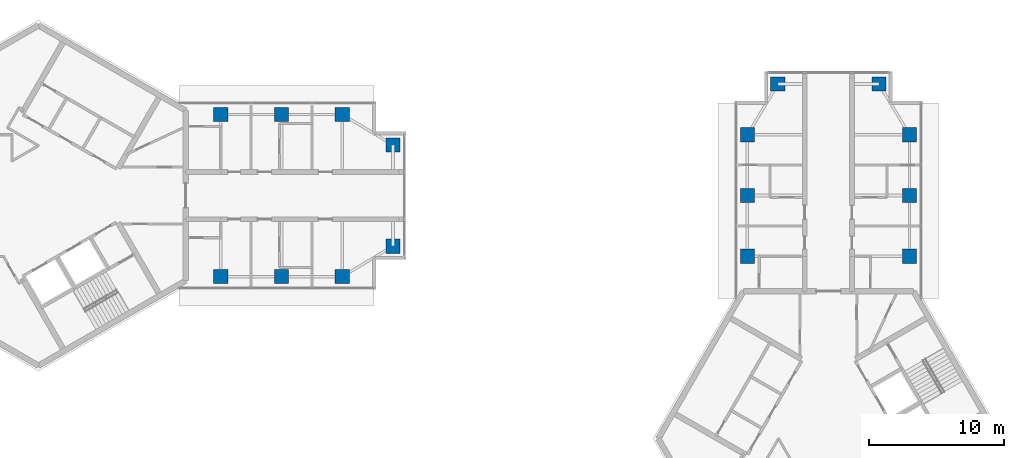
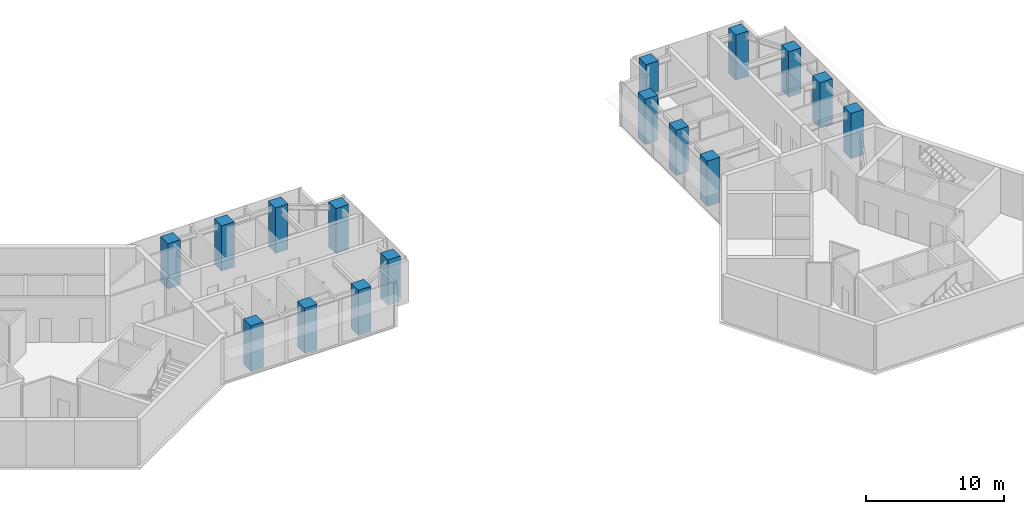
# One storey, part 1 of 11: 16 columns.
"""IFC4 building model written with IfcOpenShell, lengths in metres."""

from ifc_helpers import new_model, si_unit, direction, frame, origin, origin_2d, place, context, subcontext, project, spatial, rectangle, extrude, material, material_profile, profile_set, type_object, element, save


model = new_model("IFC4")

# Units and contexts
model_context = context("Model", 3, precision=1e-05, world=origin(), true_north=direction((0.0, 1.0)))
body_context = subcontext(model_context, "Body", "Model", "MODEL_VIEW")
ifc_project = project(units=[si_unit("LENGTHUNIT", "METRE"), si_unit("AREAUNIT", "SQUARE_METRE"), si_unit("VOLUMEUNIT", "CUBIC_METRE"), si_unit("PLANEANGLEUNIT", "RADIAN"), si_unit("MASSUNIT", "GRAM", prefix="KILO")], contexts=[model_context])

# Site, building, storey
site_placement = place(None, origin())
site = spatial("IfcSite", under=ifc_project, at=site_placement, CompositionType="ELEMENT")
building_placement = place(site_placement, origin())
building = spatial("IfcBuilding", under=site, at=building_placement, Name="Upepo Twin Towers", CompositionType="ELEMENT")
storey_placement = place(building_placement, frame((0.0, 0.0, 263.5)))
storey = spatial("IfcBuildingStorey", under=building, at=storey_placement, Name="L64", CompositionType="ELEMENT", Elevation=263.5)

# Columns
ifc_material = material(Name="Concrete C60/75", Category="concrete")
ifc_material_profile = material_profile(ifc_material, rectangle(XDim=1.050048828125, YDim=1.050048828125, at=origin_2d()), Name="RC 1050x1050")
ifc_profile_set = profile_set([ifc_material_profile], Name="Concrete C60/75")
column_type = type_object("IfcColumnType", Name="Tower column RC 1050x1050", PredefinedType="COLUMN", material=ifc_profile_set)
for number, where, z_axis, x_axis, name in (
    (1, (13.5, 6.0, 0.0), (0.0, 0.0, 1.0), (1.0, 0.0, 0.0), "T1 column AL135"),
    (2, (13.5, -6.0, 0.0), (0.0, 0.0, 1.0), (1.0, 0.0, 0.0), "T1 column AR135"),
    (3, (18.0, 6.0, 0.0), (0.0, 0.0, 1.0), (1.0, 0.0, 0.0), "T1 column AL180"),
    (4, (18.0, -6.0, 0.0), (0.0, 0.0, 1.0), (1.0, 0.0, 0.0), "T1 column AR180"),
    (5, (22.5, 6.0, 0.0), (0.0, 0.0, 1.0), (1.0, 0.0, 0.0), "T1 column AL225"),
    (6, (22.5, -6.0, 0.0), (0.0, 0.0, 1.0), (1.0, 0.0, 0.0), "T1 column AR225"),
    (7, (26.25, 3.75, 0.0), (0.0, 0.0, 1.0), (1.0, 0.0, 0.0), "T1 column ALN"),
    (8, (26.25, -3.75, 0.0), (0.0, 0.0, 1.0), (1.0, 0.0, 0.0), "T1 column ARN"),
    (9, (52.5, -4.5, 0.0), (0.0, 0.0, 1.0), (1.0, 0.0, 0.0), "T2 column AL135"),
    (10, (64.5, -4.5, 0.0), (0.0, 0.0, 1.0), (1.0, 0.0, 0.0), "T2 column AR135"),
    (11, (52.5, 0.0, 0.0), (0.0, 0.0, 1.0), (1.0, 0.0, 0.0), "T2 column AL180"),
    (12, (64.5, 0.0, 0.0), (0.0, 0.0, 1.0), (1.0, 0.0, 0.0), "T2 column AR180"),
    (13, (52.5, 4.5, 0.0), (0.0, 0.0, 1.0), (1.0, 0.0, 0.0), "T2 column AL225"),
    (14, (64.5, 4.5, 0.0), (0.0, 0.0, 1.0), (1.0, 0.0, 0.0), "T2 column AR225"),
    (15, (54.75, 8.25, 0.0), (0.0, 0.0, 1.0), (1.0, 0.0, 0.0), "T2 column ALN"),
    (16, (62.25, 8.25, 0.0), (0.0, 0.0, 1.0), (1.0, 0.0, 0.0), "T2 column ARN"),
):
    element("IfcColumn", number, at=place(storey_placement, frame(where, z_axis=z_axis, x_axis=x_axis)), inside=storey, type_object=column_type, Name=name, PredefinedType="COLUMN", context=body_context, shape_type="SweptSolid", body=[
        extrude(rectangle(XDim=1.050048828125, YDim=1.050048828125, at=origin_2d()), origin(), (0.0, 0.0, 1.0), 4.0),
    ])

save(model, "model.ifc")
